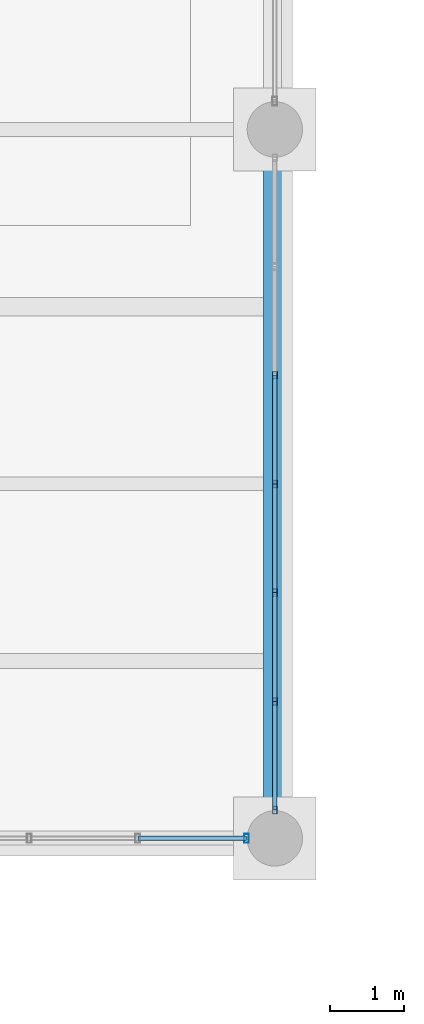
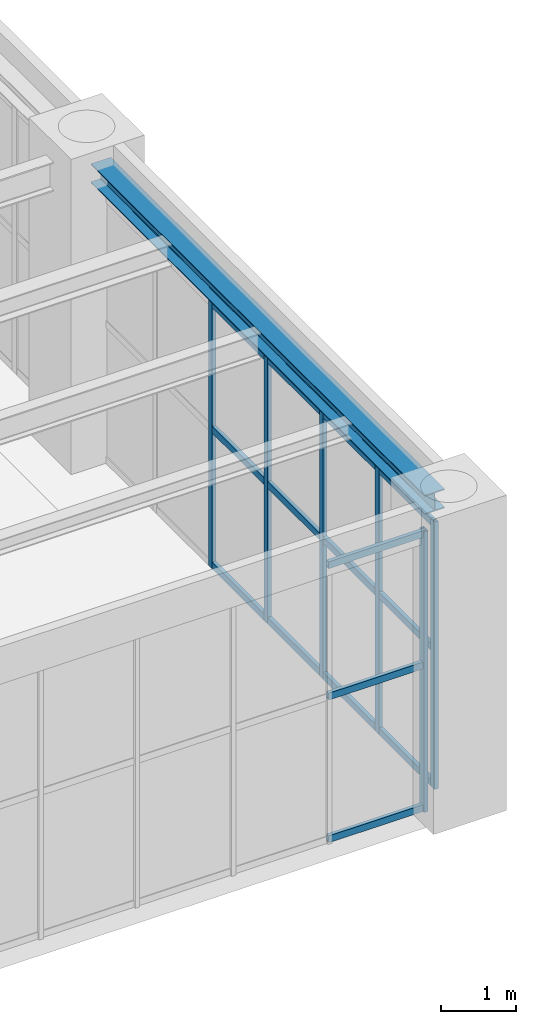
# One storey, part 49 of 174: 21 members, 1 beam, 2 elements without a shape of their own.
"""IFC4 building model written with IfcOpenShell, lengths in metres."""

import ifcopenshell
import ifcopenshell.guid

model = None  # the IFC model being written
_history = None  # IfcOwnerHistory: only IFC2X3 demands one
_inside = {}  # id of a spatial element -> (the spatial element, [elements in it])
_under = {}  # id of a project, library or spatial element -> (it, [spatial elements below it])
_declared = {}  # id of a project -> (the project, [libraries it declares])
_typed = {}  # id of a type object -> (the type object, [elements of that type])
_made_of = {}  # id of a material, layer set ... -> (it, [elements and type objects made of it])


def new_model(schema):
    """Start an empty IFC model of exactly this schema.

    Asked for "IFC4X3", IfcOpenShell would pick the latest addendum, in which some entities
    have other attributes; the version numbers below select the first issue.
    IFC2X3 requires an IfcOwnerHistory on every rooted entity: one is made here for all.
    """
    global model, _history
    if schema == "IFC4X3":
        model = ifcopenshell.file(schema_version=(4, 3, 0, 0))
    else:
        model = ifcopenshell.file(schema=schema)
    _inside.clear()
    _under.clear()
    _declared.clear()
    _typed.clear()
    _made_of.clear()
    _history = None
    if model.schema == "IFC2X3":
        org = make("IfcOrganization", Name="unknown")
        user = make(
            "IfcPersonAndOrganization",
            ThePerson=make("IfcPerson", FamilyName="unknown"),
            TheOrganization=org,
        )
        app = make(
            "IfcApplication",
            ApplicationDeveloper=org,
            Version="unknown",
            ApplicationFullName="unknown",
            ApplicationIdentifier="unknown",
        )
        _history = make(
            "IfcOwnerHistory",
            OwningUser=user,
            OwningApplication=app,
            ChangeAction="ADDED",
            CreationDate=0,
        )
    return model


def make(cls, **values):
    """One entity of the class cls with the attributes given. An attribute that is None is left unset."""
    return model.create_entity(
        cls, **{name: value for name, value in values.items() if value is not None}
    )


def rooted(cls, **values):
    """An entity with a GlobalId (a new one), such as an element, a storey or a relation."""
    return make(cls, GlobalId=ifcopenshell.guid.new(), OwnerHistory=_history, **values)


def si_unit(unit_type, name, prefix=None):
    """IfcSIUnit, for example si_unit("LENGTHUNIT", "METRE", prefix="MILLI")."""
    return make("IfcSIUnit", UnitType=unit_type, Prefix=prefix, Name=name)


def assignment(units):
    """IfcUnitAssignment: the units of a project."""
    return None if units is None else make("IfcUnitAssignment", Units=units)


def point(xyz):
    """IfcCartesianPoint."""
    return None if xyz is None else make("IfcCartesianPoint", Coordinates=xyz)


def direction(xyz):
    """IfcDirection."""
    return None if xyz is None else make("IfcDirection", DirectionRatios=xyz)


def frame(location, z_axis=None, x_axis=None):
    """IfcAxis2Placement3D, a coordinate frame: its origin and axes. An axis left out is left unset."""
    return make(
        "IfcAxis2Placement3D",
        Location=point(location),
        Axis=direction(z_axis),
        RefDirection=direction(x_axis),
    )


def frame_2d(location, x_axis=None):
    """IfcAxis2Placement2D, a coordinate frame in the plane: its origin and x axis."""
    return make(
        "IfcAxis2Placement2D", Location=point(location), RefDirection=direction(x_axis)
    )


def origin():
    """The frame at (0, 0, 0) with its axes left unset."""
    return frame((0.0, 0.0, 0.0))


def origin_2d():
    """The frame at (0, 0) in the plane with its x axis left unset."""
    return frame_2d((0.0, 0.0))


def place(relative_to, where):
    """IfcLocalPlacement: puts the frame where relative to a parent placement (None: the world)."""
    return make(
        "IfcLocalPlacement", PlacementRelTo=relative_to, RelativePlacement=where
    )


def context(
    kind, dimensions, precision=None, world=None, true_north=None, identifier=None
):
    """IfcGeometricRepresentationContext, for example the 3D "Model" context."""
    return make(
        "IfcGeometricRepresentationContext",
        ContextIdentifier=identifier,
        ContextType=kind,
        CoordinateSpaceDimension=dimensions,
        Precision=precision,
        WorldCoordinateSystem=world,
        TrueNorth=true_north,
    )


def subcontext(parent, identifier, kind, view, scale=None):
    """IfcGeometricRepresentationSubContext, for example "Body" below "Model"."""
    return make(
        "IfcGeometricRepresentationSubContext",
        ContextIdentifier=identifier,
        ContextType=kind,
        ParentContext=parent,
        TargetScale=scale,
        TargetView=view,
    )


def project(units=None, contexts=None):
    """IfcProject with its units and contexts."""
    return rooted(
        "IfcProject",
        Name="project",
        RepresentationContexts=contexts,
        UnitsInContext=assignment(units),
    )


def spatial(cls, under=None, at=None, **own):
    """A site, building, storey or space (cls), placed at a placement, below another one or the project."""
    s = rooted(cls, ObjectPlacement=at, **own)
    if under is not None:
        _under.setdefault(under.id(), (under, []))[1].append(s)
    return s


def profile(cls, at=None, kind="AREA", **sizes):
    """A parametric profile (cls). Its sizes go by their IFC names, for example OverallWidth=200.0."""
    return make(cls, ProfileType=kind, Position=at, **sizes)


def hollow_rectangle(**sizes):
    """IfcRectangleHollowProfileDef."""
    return profile("IfcRectangleHollowProfileDef", **sizes)


def i_section(**sizes):
    """IfcIShapeProfileDef."""
    return profile("IfcIShapeProfileDef", **sizes)


def extrude(swept, where, along, depth):
    """IfcExtrudedAreaSolid: the profile swept, set in the frame where, extruded along a direction by depth."""
    return make(
        "IfcExtrudedAreaSolid",
        SweptArea=swept,
        Position=where,
        ExtrudedDirection=direction(along),
        Depth=depth,
    )


def shape(context_of_items, identifier, shape_type, items):
    """IfcShapeRepresentation: the items that make up one representation, for example the "Body"."""
    return make(
        "IfcShapeRepresentation",
        ContextOfItems=context_of_items,
        RepresentationIdentifier=identifier,
        RepresentationType=shape_type,
        Items=items,
    )


def material(Name=None, Category=None):
    """IfcMaterial."""
    return make("IfcMaterial", Name=Name, Category=Category)


def material_profile(
    of_material, cross_section, Name=None, Category=None, Priority=None
):
    """IfcMaterialProfile: a cross section and its material."""
    return make(
        "IfcMaterialProfile",
        Name=Name,
        Material=of_material,
        Profile=cross_section,
        Priority=Priority,
        Category=Category,
    )


def profile_set(profiles, Name=None, composite=None):
    """IfcMaterialProfileSet."""
    return make(
        "IfcMaterialProfileSet",
        Name=Name,
        MaterialProfiles=profiles,
        CompositeProfile=composite,
    )


def made_of(thing, what):
    """Note that an element or type object is made of a material, layer set ...; save() writes the relation."""
    if what is not None:
        _made_of.setdefault(what.id(), (what, []))[1].append(thing)
    return thing


def type_object(cls, material=None, **own):
    """A type object (cls), such as IfcWallType, which elements share."""
    return made_of(rooted(cls, **own), material)


def element(
    cls,
    number,
    at=None,
    inside=None,
    cuts=None,
    type_object=None,
    material=None,
    context=None,
    identifier="Body",
    shape_type=None,
    held_by="IfcProductDefinitionShape",
    body=None,
    shapes=None,
    **own,
):
    """One element of the class cls, such as IfcWall. Its Tag is "e" and its number.

    at: its placement. inside: the storey or other place that contains it. cuts: it is an
    opening in that element (IfcRelVoidsElement). A single representation is given by context,
    identifier, shape_type and body (its items); several are given by shapes. held_by: the class
    of the entity that holds the representations. save() writes the other relations.
    """
    e = rooted(cls, Tag="e%d" % number, ObjectPlacement=at, **own)
    if body is not None:
        shapes = [shape(context, identifier, shape_type, body)]
    if shapes is not None:
        e.Representation = make(held_by, Representations=shapes)
    if inside is not None:
        _inside.setdefault(inside.id(), (inside, []))[1].append(e)
    if cuts is not None:
        rooted(
            "IfcRelVoidsElement", RelatingBuildingElement=cuts, RelatedOpeningElement=e
        )
    if type_object is not None:
        _typed.setdefault(type_object.id(), (type_object, []))[1].append(e)
    return made_of(e, material)


def aggregate(whole, parts):
    """IfcRelAggregates: a whole, such as a stair, and the parts it consists of."""
    return rooted("IfcRelAggregates", RelatingObject=whole, RelatedObjects=parts)


def save(model, path):
    """Write the relations noted so far, then the file.

    IfcRelAggregates (storeys below a building ...), IfcRelContainedInSpatialStructure (elements
    in a storey), IfcRelDefinesByType, IfcRelAssociatesMaterial and IfcRelDeclares: one each for
    every whole, place, type object, material and project.
    """
    for whole, parts in _under.values():
        aggregate(whole, parts)
    for where, things in _inside.values():
        rooted(
            "IfcRelContainedInSpatialStructure",
            RelatedElements=things,
            RelatingStructure=where,
        )
    for kind, things in _typed.values():
        rooted("IfcRelDefinesByType", RelatedObjects=things, RelatingType=kind)
    for what, things in _made_of.values():
        rooted("IfcRelAssociatesMaterial", RelatedObjects=things, RelatingMaterial=what)
    for by, libraries in _declared.values():
        rooted("IfcRelDeclares", RelatingContext=by, RelatedDefinitions=libraries)
    model.write(path)


model = new_model("IFC4")

# Units and contexts
model_context = context("Model", 3, precision=1e-05, world=origin(), true_north=direction((0.0, 1.0)))
body_context = subcontext(model_context, "Body", "Model", "MODEL_VIEW")
ifc_project = project(units=[si_unit("LENGTHUNIT", "METRE"), si_unit("AREAUNIT", "SQUARE_METRE"), si_unit("VOLUMEUNIT", "CUBIC_METRE"), si_unit("PLANEANGLEUNIT", "RADIAN"), si_unit("MASSUNIT", "GRAM", prefix="KILO")], contexts=[model_context])

# Site, building, storey
site_placement = place(None, origin())
site = spatial("IfcSite", under=ifc_project, at=site_placement, CompositionType="ELEMENT")
building_placement = place(site_placement, origin())
building = spatial("IfcBuilding", under=site, at=building_placement, Name="Mavantir Sound Aquarium", CompositionType="ELEMENT")
storey_placement = place(building_placement, frame((0.0, 0.0, 5.39990234375)))
storey = spatial("IfcBuildingStorey", under=building, at=storey_placement, Name="L01", CompositionType="ELEMENT", Elevation=5.39990234375)

# Beam
ifc_material_1 = material(Name="Structural Steel ASTM A992 Gr50", Category="steel")
ifc_material_profile_1 = material_profile(ifc_material_1, i_section(OverallWidth=0.304931640625, OverallDepth=0.30810546875, WebThickness=0.010009765625, FlangeThickness=0.015380859375, FilletRadius=0.014892578125, at=origin_2d()), Name="W310X97")
ifc_profile_set_1 = profile_set([ifc_material_profile_1], Name="Structural Steel ASTM A992 Gr50")
beam_type = type_object("IfcBeamType", Name="BM-W310X97-E", PredefinedType="SPANDREL", material=ifc_profile_set_1)
beam_placement = place(storey_placement, frame((64.800048828125, 41.175048828125, 4.6220703125), z_axis=(0.0, 1.0, 0.0), x_axis=(-1.0, 0.0, 0.0)))
element("IfcBeam", 1, at=beam_placement, inside=storey, type_object=beam_type, Name="L01 primary girder SS-31A 1203", PredefinedType="SPANDREL", context=body_context, shape_type="SweptSolid", body=[
    extrude(i_section(OverallWidth=0.304931640625, OverallDepth=0.30810546875, WebThickness=0.010009765625, FlangeThickness=0.015380859375, FilletRadius=0.014892578125, at=origin_2d()), origin(), (0.0, 0.0, 1.0), 8.849853515625),
])

# Curtain wall, members
ifc_material_2 = material(Name="Anodised Marine Aluminium and Low-E Glass", Category="aluminium")
curtain_wall_type_1 = type_object("IfcCurtainWallType", Name="CW-T07", PredefinedType="USERDEFINED", material=ifc_material_2)
curtain_wall_1_placement = place(storey_placement, origin())
curtain_wall_1 = element("IfcCurtainWall", 2, at=curtain_wall_1_placement, inside=storey, type_object=curtain_wall_type_1, Name="L01 unitised curtain wall CW-07 55", ObjectType="UNITISED GLAZING", PredefinedType="USERDEFINED")
ifc_material_3 = material(Name="Anodised Marine Aluminium 6063-T6", Category="aluminium")
ifc_material_profile_2 = material_profile(ifc_material_3, hollow_rectangle(XDim=0.06005859375, YDim=0.10009765625, WallThickness=0.00390625, at=origin_2d()), Name="ALU-MULLION-100X60")
ifc_profile_set_2 = profile_set([ifc_material_profile_2], Name="Anodised Marine Aluminium 6063-T6")
member_type_1 = type_object("IfcMemberType", Name="CW-MUL-100", PredefinedType="MULLION", material=ifc_profile_set_2)
member_1_placement = place(storey_placement, frame((64.800048828125, 41.18310546875, 0.0), z_axis=(0.0, 0.0, 1.0), x_axis=(1.0, 0.0, 0.0)))
member_1 = element("IfcMember", 3, at=member_1_placement, type_object=member_type_1, Name="CW-L01-055 vertical mullion 1", PredefinedType="MULLION", context=body_context, shape_type="SweptSolid", body=[
    extrude(hollow_rectangle(XDim=0.06005859375, YDim=0.10009765625, WallThickness=0.00390625, at=origin_2d()), origin(), (0.0, 0.0, 1.0), 4.3291015625),
])
member_2_placement = place(storey_placement, frame((64.800048828125, 42.6552734375, 0.0), z_axis=(0.0, 0.0, 1.0), x_axis=(1.0, 0.0, 0.0)))
member_2 = element("IfcMember", 4, at=member_2_placement, type_object=member_type_1, Name="CW-L01-055 vertical mullion 2", PredefinedType="MULLION", context=body_context, shape_type="SweptSolid", body=[
    extrude(hollow_rectangle(XDim=0.06005859375, YDim=0.10009765625, WallThickness=0.00390625, at=origin_2d()), origin(), (0.0, 0.0, 1.0), 4.3291015625),
])
member_3_placement = place(storey_placement, frame((64.800048828125, 44.127685546875, 0.0), z_axis=(0.0, 0.0, 1.0), x_axis=(1.0, 0.0, 0.0)))
member_3 = element("IfcMember", 5, at=member_3_placement, type_object=member_type_1, Name="CW-L01-055 vertical mullion 3", PredefinedType="MULLION", context=body_context, shape_type="SweptSolid", body=[
    extrude(hollow_rectangle(XDim=0.06005859375, YDim=0.10009765625, WallThickness=0.00390625, at=origin_2d()), origin(), (0.0, 0.0, 1.0), 4.3291015625),
])
member_4_placement = place(storey_placement, frame((64.800048828125, 45.60009765625, 0.0), z_axis=(0.0, 0.0, 1.0), x_axis=(1.0, 0.0, 0.0)))
member_4 = element("IfcMember", 6, at=member_4_placement, type_object=member_type_1, Name="CW-L01-055 vertical mullion 4", PredefinedType="MULLION", context=body_context, shape_type="SweptSolid", body=[
    extrude(hollow_rectangle(XDim=0.06005859375, YDim=0.10009765625, WallThickness=0.00390625, at=origin_2d()), origin(), (0.0, 0.0, 1.0), 4.3291015625),
])
member_5_placement = place(storey_placement, frame((64.800048828125, 47.072265625, 0.0), z_axis=(0.0, 0.0, 1.0), x_axis=(1.0, 0.0, 0.0)))
member_5 = element("IfcMember", 7, at=member_5_placement, type_object=member_type_1, Name="CW-L01-055 vertical mullion 5", PredefinedType="MULLION", context=body_context, shape_type="SweptSolid", body=[
    extrude(hollow_rectangle(XDim=0.06005859375, YDim=0.10009765625, WallThickness=0.00390625, at=origin_2d()), origin(), (0.0, 0.0, 1.0), 4.3291015625),
])

# Curtain wall, member
curtain_wall_type_2 = type_object("IfcCurtainWallType", Name="CW-T18", PredefinedType="USERDEFINED", material=ifc_material_2)
curtain_wall_2_placement = place(storey_placement, origin())
curtain_wall_2 = element("IfcCurtainWall", 8, at=curtain_wall_2_placement, inside=storey, type_object=curtain_wall_type_2, Name="L01 unitised curtain wall CW-18 66", ObjectType="UNITISED GLAZING", PredefinedType="USERDEFINED")
ifc_material_profile_3 = material_profile(ifc_material_3, hollow_rectangle(XDim=0.06494140625, YDim=0.1201171875, WallThickness=0.00390625, at=origin_2d()), Name="ALU-MULLION-120X65")
ifc_profile_set_3 = profile_set([ifc_material_profile_3], Name="Anodised Marine Aluminium 6063-T6")
member_type_2 = type_object("IfcMemberType", Name="CW-MUL-120", PredefinedType="MULLION", material=ifc_profile_set_3)
member_6_placement = place(storey_placement, frame((64.4169921875, 40.800048828125, 0.0), z_axis=(0.0, 0.0, 1.0), x_axis=(1.0, 0.0, 0.0)))
member_6 = element("IfcMember", 9, at=member_6_placement, type_object=member_type_2, Name="CW-L01-066 vertical mullion 7", PredefinedType="MULLION", context=body_context, shape_type="SweptSolid", body=[
    extrude(hollow_rectangle(XDim=0.06494140625, YDim=0.1201171875, WallThickness=0.00390625, at=origin_2d()), origin(), (0.0, 0.0, 1.0), 4.543212890625),
])

# Member
ifc_material_profile_4 = material_profile(ifc_material_3, hollow_rectangle(XDim=0.06005859375, YDim=0.110107421875, WallThickness=0.00390625, at=origin_2d()), Name="ALU-TRANSOM-110X60")
ifc_profile_set_4 = profile_set([ifc_material_profile_4], Name="Anodised Marine Aluminium 6063-T6")
member_type_3 = type_object("IfcMemberType", Name="CW-TRN-110", PredefinedType="USERDEFINED", material=ifc_profile_set_4)
member_7_placement = place(storey_placement, frame((64.800048828125, 41.18310546875, 0.05517578125), z_axis=(0.0, 1.0, 0.0), x_axis=(-1.0, 0.0, 0.0)))
member_7 = element("IfcMember", 10, at=member_7_placement, type_object=member_type_3, Name="CW-L01-055 transom 1.1", ObjectType="TRANSOM", PredefinedType="USERDEFINED", context=body_context, shape_type="SweptSolid", body=[
    extrude(hollow_rectangle(XDim=0.06005859375, YDim=0.110107421875, WallThickness=0.00390625, at=origin_2d()), origin(), (0.0, 0.0, 1.0), 1.47216796875),
])

member_8_placement = place(storey_placement, frame((64.800048828125, 41.18310546875, 2.251220703125), z_axis=(0.0, 1.0, 0.0), x_axis=(-1.0, 0.0, 0.0)))
member_8 = element("IfcMember", 11, at=member_8_placement, type_object=member_type_3, Name="CW-L01-055 transom 1.2", ObjectType="TRANSOM", PredefinedType="USERDEFINED", context=body_context, shape_type="SweptSolid", body=[
    extrude(hollow_rectangle(XDim=0.06005859375, YDim=0.110107421875, WallThickness=0.00390625, at=origin_2d()), origin(), (0.0, 0.0, 1.0), 1.47216796875),
])

member_9_placement = place(storey_placement, frame((64.800048828125, 41.18310546875, 4.274169921875), z_axis=(0.0, 1.0, 0.0), x_axis=(-1.0, 0.0, 0.0)))
member_9 = element("IfcMember", 12, at=member_9_placement, type_object=member_type_3, Name="CW-L01-055 transom 1.3", ObjectType="TRANSOM", PredefinedType="USERDEFINED", context=body_context, shape_type="SweptSolid", body=[
    extrude(hollow_rectangle(XDim=0.06005859375, YDim=0.110107421875, WallThickness=0.00390625, at=origin_2d()), origin(), (0.0, 0.0, 1.0), 1.47216796875),
])

member_10_placement = place(storey_placement, frame((64.800048828125, 42.6552734375, 0.05517578125), z_axis=(0.0, 1.0, 0.0), x_axis=(-1.0, 0.0, 0.0)))
member_10 = element("IfcMember", 13, at=member_10_placement, type_object=member_type_3, Name="CW-L01-055 transom 2.1", ObjectType="TRANSOM", PredefinedType="USERDEFINED", context=body_context, shape_type="SweptSolid", body=[
    extrude(hollow_rectangle(XDim=0.06005859375, YDim=0.110107421875, WallThickness=0.00390625, at=origin_2d()), origin(), (0.0, 0.0, 1.0), 1.472412109375),
])

member_11_placement = place(storey_placement, frame((64.800048828125, 42.6552734375, 2.251220703125), z_axis=(0.0, 1.0, 0.0), x_axis=(-1.0, 0.0, 0.0)))
member_11 = element("IfcMember", 14, at=member_11_placement, type_object=member_type_3, Name="CW-L01-055 transom 2.2", ObjectType="TRANSOM", PredefinedType="USERDEFINED", context=body_context, shape_type="SweptSolid", body=[
    extrude(hollow_rectangle(XDim=0.06005859375, YDim=0.110107421875, WallThickness=0.00390625, at=origin_2d()), origin(), (0.0, 0.0, 1.0), 1.472412109375),
])

member_12_placement = place(storey_placement, frame((64.800048828125, 42.6552734375, 4.274169921875), z_axis=(0.0, 1.0, 0.0), x_axis=(-1.0, 0.0, 0.0)))
member_12 = element("IfcMember", 15, at=member_12_placement, type_object=member_type_3, Name="CW-L01-055 transom 2.3", ObjectType="TRANSOM", PredefinedType="USERDEFINED", context=body_context, shape_type="SweptSolid", body=[
    extrude(hollow_rectangle(XDim=0.06005859375, YDim=0.110107421875, WallThickness=0.00390625, at=origin_2d()), origin(), (0.0, 0.0, 1.0), 1.472412109375),
])

member_13_placement = place(storey_placement, frame((64.800048828125, 44.127685546875, 0.05517578125), z_axis=(0.0, 1.0, 0.0), x_axis=(-1.0, 0.0, 0.0)))
member_13 = element("IfcMember", 16, at=member_13_placement, type_object=member_type_3, Name="CW-L01-055 transom 3.1", ObjectType="TRANSOM", PredefinedType="USERDEFINED", context=body_context, shape_type="SweptSolid", body=[
    extrude(hollow_rectangle(XDim=0.06005859375, YDim=0.110107421875, WallThickness=0.00390625, at=origin_2d()), origin(), (0.0, 0.0, 1.0), 1.472412109375),
])

member_14_placement = place(storey_placement, frame((64.800048828125, 44.127685546875, 2.251220703125), z_axis=(0.0, 1.0, 0.0), x_axis=(-1.0, 0.0, 0.0)))
member_14 = element("IfcMember", 17, at=member_14_placement, type_object=member_type_3, Name="CW-L01-055 transom 3.2", ObjectType="TRANSOM", PredefinedType="USERDEFINED", context=body_context, shape_type="SweptSolid", body=[
    extrude(hollow_rectangle(XDim=0.06005859375, YDim=0.110107421875, WallThickness=0.00390625, at=origin_2d()), origin(), (0.0, 0.0, 1.0), 1.472412109375),
])

member_15_placement = place(storey_placement, frame((64.800048828125, 44.127685546875, 4.274169921875), z_axis=(0.0, 1.0, 0.0), x_axis=(-1.0, 0.0, 0.0)))
member_15 = element("IfcMember", 18, at=member_15_placement, type_object=member_type_3, Name="CW-L01-055 transom 3.3", ObjectType="TRANSOM", PredefinedType="USERDEFINED", context=body_context, shape_type="SweptSolid", body=[
    extrude(hollow_rectangle(XDim=0.06005859375, YDim=0.110107421875, WallThickness=0.00390625, at=origin_2d()), origin(), (0.0, 0.0, 1.0), 1.472412109375),
])

member_16_placement = place(storey_placement, frame((64.800048828125, 45.60009765625, 0.05517578125), z_axis=(0.0, 1.0, 0.0), x_axis=(-1.0, 0.0, 0.0)))
member_16 = element("IfcMember", 19, at=member_16_placement, type_object=member_type_3, Name="CW-L01-055 transom 4.1", ObjectType="TRANSOM", PredefinedType="USERDEFINED", context=body_context, shape_type="SweptSolid", body=[
    extrude(hollow_rectangle(XDim=0.06005859375, YDim=0.110107421875, WallThickness=0.00390625, at=origin_2d()), origin(), (0.0, 0.0, 1.0), 1.47216796875),
])

member_17_placement = place(storey_placement, frame((64.800048828125, 45.60009765625, 2.251220703125), z_axis=(0.0, 1.0, 0.0), x_axis=(-1.0, 0.0, 0.0)))
member_17 = element("IfcMember", 20, at=member_17_placement, type_object=member_type_3, Name="CW-L01-055 transom 4.2", ObjectType="TRANSOM", PredefinedType="USERDEFINED", context=body_context, shape_type="SweptSolid", body=[
    extrude(hollow_rectangle(XDim=0.06005859375, YDim=0.110107421875, WallThickness=0.00390625, at=origin_2d()), origin(), (0.0, 0.0, 1.0), 1.47216796875),
])

member_18_placement = place(storey_placement, frame((64.800048828125, 45.60009765625, 4.274169921875), z_axis=(0.0, 1.0, 0.0), x_axis=(-1.0, 0.0, 0.0)))
member_18 = element("IfcMember", 21, at=member_18_placement, type_object=member_type_3, Name="CW-L01-055 transom 4.3", ObjectType="TRANSOM", PredefinedType="USERDEFINED", context=body_context, shape_type="SweptSolid", body=[
    extrude(hollow_rectangle(XDim=0.06005859375, YDim=0.110107421875, WallThickness=0.00390625, at=origin_2d()), origin(), (0.0, 0.0, 1.0), 1.47216796875),
])

aggregate(curtain_wall_1, [member_1, member_2, member_3, member_4, member_5, member_7, member_8, member_9, member_10, member_11, member_12, member_13, member_14, member_15, member_16, member_17, member_18])

member_19_placement = place(storey_placement, frame((62.944580078125, 40.800048828125, 0.05517578125), z_axis=(1.0, 0.0, 0.0), x_axis=(0.0, 1.0, 0.0)))
member_19 = element("IfcMember", 22, at=member_19_placement, type_object=member_type_3, Name="CW-L01-066 transom 6.1", ObjectType="TRANSOM", PredefinedType="USERDEFINED", context=body_context, shape_type="SweptSolid", body=[
    extrude(hollow_rectangle(XDim=0.06005859375, YDim=0.110107421875, WallThickness=0.00390625, at=origin_2d()), origin(), (0.0, 0.0, 1.0), 1.472412109375),
])

member_20_placement = place(storey_placement, frame((62.944580078125, 40.800048828125, 2.362548828125), z_axis=(1.0, 0.0, 0.0), x_axis=(0.0, 1.0, 0.0)))
member_20 = element("IfcMember", 23, at=member_20_placement, type_object=member_type_3, Name="CW-L01-066 transom 6.2", ObjectType="TRANSOM", PredefinedType="USERDEFINED", context=body_context, shape_type="SweptSolid", body=[
    extrude(hollow_rectangle(XDim=0.06005859375, YDim=0.110107421875, WallThickness=0.00390625, at=origin_2d()), origin(), (0.0, 0.0, 1.0), 1.472412109375),
])

member_21_placement = place(storey_placement, frame((62.944580078125, 40.800048828125, 4.488037109375), z_axis=(1.0, 0.0, 0.0), x_axis=(0.0, 1.0, 0.0)))
member_21 = element("IfcMember", 24, at=member_21_placement, type_object=member_type_3, Name="CW-L01-066 transom 6.3", ObjectType="TRANSOM", PredefinedType="USERDEFINED", context=body_context, shape_type="SweptSolid", body=[
    extrude(hollow_rectangle(XDim=0.06005859375, YDim=0.110107421875, WallThickness=0.00390625, at=origin_2d()), origin(), (0.0, 0.0, 1.0), 1.472412109375),
])

aggregate(curtain_wall_2, [member_6, member_19, member_20, member_21])

save(model, "model.ifc")
